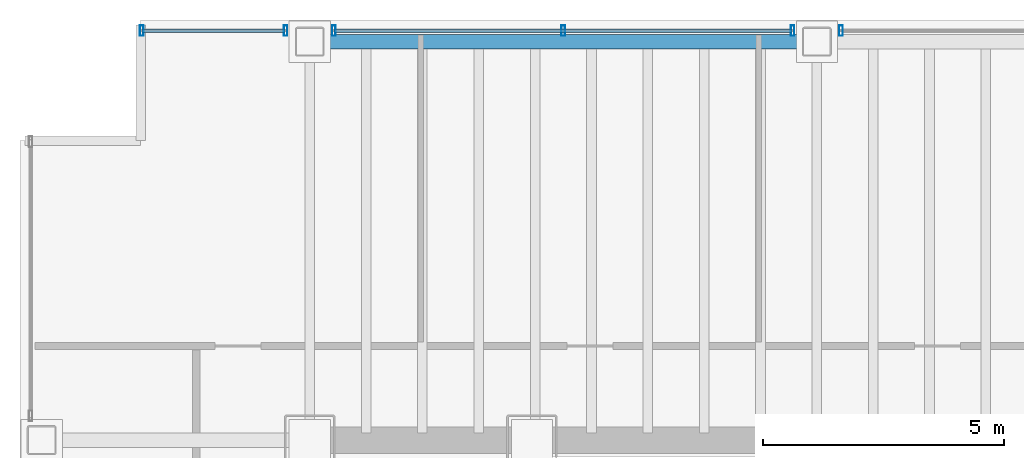
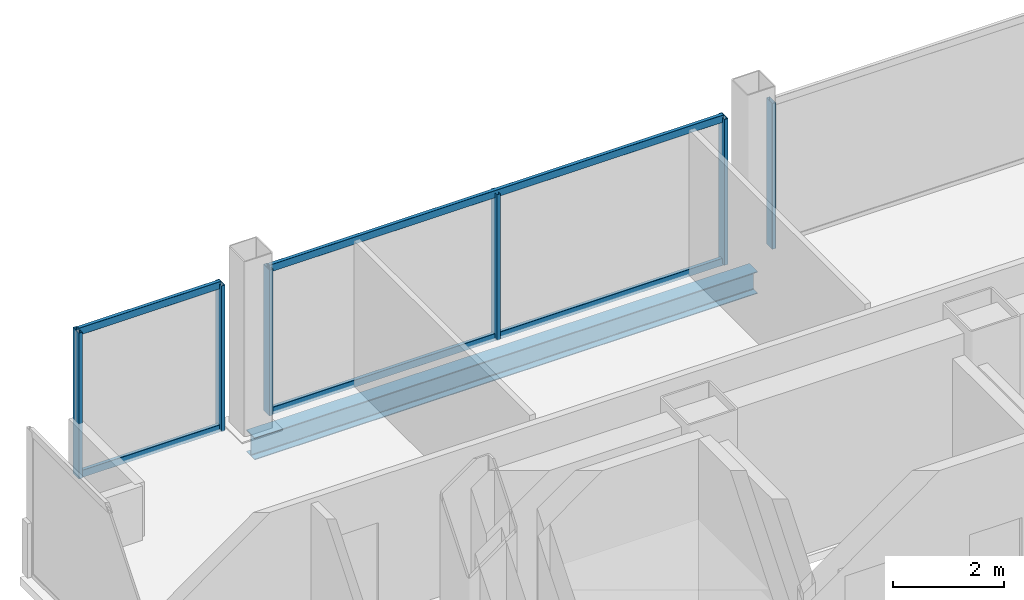
# One storey, part 13 of 20: 10 members, 1 beam, 3 elements without a shape of their own.
"""IFC4 building model written with IfcOpenShell, lengths in metres."""

import ifcopenshell
import ifcopenshell.guid

model = None  # the IFC model being written
_history = None  # IfcOwnerHistory: only IFC2X3 demands one
_inside = {}  # id of a spatial element -> (the spatial element, [elements in it])
_under = {}  # id of a project, library or spatial element -> (it, [spatial elements below it])
_declared = {}  # id of a project -> (the project, [libraries it declares])
_typed = {}  # id of a type object -> (the type object, [elements of that type])
_made_of = {}  # id of a material, layer set ... -> (it, [elements and type objects made of it])


def new_model(schema):
    """Start an empty IFC model of exactly this schema.

    Asked for "IFC4X3", IfcOpenShell would pick the latest addendum, in which some entities
    have other attributes; the version numbers below select the first issue.
    IFC2X3 requires an IfcOwnerHistory on every rooted entity: one is made here for all.
    """
    global model, _history
    if schema == "IFC4X3":
        model = ifcopenshell.file(schema_version=(4, 3, 0, 0))
    else:
        model = ifcopenshell.file(schema=schema)
    _inside.clear()
    _under.clear()
    _declared.clear()
    _typed.clear()
    _made_of.clear()
    _history = None
    if model.schema == "IFC2X3":
        org = make("IfcOrganization", Name="unknown")
        user = make(
            "IfcPersonAndOrganization",
            ThePerson=make("IfcPerson", FamilyName="unknown"),
            TheOrganization=org,
        )
        app = make(
            "IfcApplication",
            ApplicationDeveloper=org,
            Version="unknown",
            ApplicationFullName="unknown",
            ApplicationIdentifier="unknown",
        )
        _history = make(
            "IfcOwnerHistory",
            OwningUser=user,
            OwningApplication=app,
            ChangeAction="ADDED",
            CreationDate=0,
        )
    return model


def make(cls, **values):
    """One entity of the class cls with the attributes given. An attribute that is None is left unset."""
    return model.create_entity(
        cls, **{name: value for name, value in values.items() if value is not None}
    )


def rooted(cls, **values):
    """An entity with a GlobalId (a new one), such as an element, a storey or a relation."""
    return make(cls, GlobalId=ifcopenshell.guid.new(), OwnerHistory=_history, **values)


def si_unit(unit_type, name, prefix=None):
    """IfcSIUnit, for example si_unit("LENGTHUNIT", "METRE", prefix="MILLI")."""
    return make("IfcSIUnit", UnitType=unit_type, Prefix=prefix, Name=name)


def assignment(units):
    """IfcUnitAssignment: the units of a project."""
    return None if units is None else make("IfcUnitAssignment", Units=units)


def point(xyz):
    """IfcCartesianPoint."""
    return None if xyz is None else make("IfcCartesianPoint", Coordinates=xyz)


def direction(xyz):
    """IfcDirection."""
    return None if xyz is None else make("IfcDirection", DirectionRatios=xyz)


def frame(location, z_axis=None, x_axis=None):
    """IfcAxis2Placement3D, a coordinate frame: its origin and axes. An axis left out is left unset."""
    return make(
        "IfcAxis2Placement3D",
        Location=point(location),
        Axis=direction(z_axis),
        RefDirection=direction(x_axis),
    )


def frame_2d(location, x_axis=None):
    """IfcAxis2Placement2D, a coordinate frame in the plane: its origin and x axis."""
    return make(
        "IfcAxis2Placement2D", Location=point(location), RefDirection=direction(x_axis)
    )


def origin():
    """The frame at (0, 0, 0) with its axes left unset."""
    return frame((0.0, 0.0, 0.0))


def origin_2d():
    """The frame at (0, 0) in the plane with its x axis left unset."""
    return frame_2d((0.0, 0.0))


def place(relative_to, where):
    """IfcLocalPlacement: puts the frame where relative to a parent placement (None: the world)."""
    return make(
        "IfcLocalPlacement", PlacementRelTo=relative_to, RelativePlacement=where
    )


def context(
    kind, dimensions, precision=None, world=None, true_north=None, identifier=None
):
    """IfcGeometricRepresentationContext, for example the 3D "Model" context."""
    return make(
        "IfcGeometricRepresentationContext",
        ContextIdentifier=identifier,
        ContextType=kind,
        CoordinateSpaceDimension=dimensions,
        Precision=precision,
        WorldCoordinateSystem=world,
        TrueNorth=true_north,
    )


def subcontext(parent, identifier, kind, view, scale=None):
    """IfcGeometricRepresentationSubContext, for example "Body" below "Model"."""
    return make(
        "IfcGeometricRepresentationSubContext",
        ContextIdentifier=identifier,
        ContextType=kind,
        ParentContext=parent,
        TargetScale=scale,
        TargetView=view,
    )


def project(units=None, contexts=None):
    """IfcProject with its units and contexts."""
    return rooted(
        "IfcProject",
        Name="project",
        RepresentationContexts=contexts,
        UnitsInContext=assignment(units),
    )


def spatial(cls, under=None, at=None, **own):
    """A site, building, storey or space (cls), placed at a placement, below another one or the project."""
    s = rooted(cls, ObjectPlacement=at, **own)
    if under is not None:
        _under.setdefault(under.id(), (under, []))[1].append(s)
    return s


def profile(cls, at=None, kind="AREA", **sizes):
    """A parametric profile (cls). Its sizes go by their IFC names, for example OverallWidth=200.0."""
    return make(cls, ProfileType=kind, Position=at, **sizes)


def hollow_rectangle(**sizes):
    """IfcRectangleHollowProfileDef."""
    return profile("IfcRectangleHollowProfileDef", **sizes)


def i_section(**sizes):
    """IfcIShapeProfileDef."""
    return profile("IfcIShapeProfileDef", **sizes)


def extrude(swept, where, along, depth):
    """IfcExtrudedAreaSolid: the profile swept, set in the frame where, extruded along a direction by depth."""
    return make(
        "IfcExtrudedAreaSolid",
        SweptArea=swept,
        Position=where,
        ExtrudedDirection=direction(along),
        Depth=depth,
    )


def shape(context_of_items, identifier, shape_type, items):
    """IfcShapeRepresentation: the items that make up one representation, for example the "Body"."""
    return make(
        "IfcShapeRepresentation",
        ContextOfItems=context_of_items,
        RepresentationIdentifier=identifier,
        RepresentationType=shape_type,
        Items=items,
    )


def material(Name=None, Category=None):
    """IfcMaterial."""
    return make("IfcMaterial", Name=Name, Category=Category)


def material_profile(
    of_material, cross_section, Name=None, Category=None, Priority=None
):
    """IfcMaterialProfile: a cross section and its material."""
    return make(
        "IfcMaterialProfile",
        Name=Name,
        Material=of_material,
        Profile=cross_section,
        Priority=Priority,
        Category=Category,
    )


def profile_set(profiles, Name=None, composite=None):
    """IfcMaterialProfileSet."""
    return make(
        "IfcMaterialProfileSet",
        Name=Name,
        MaterialProfiles=profiles,
        CompositeProfile=composite,
    )


def made_of(thing, what):
    """Note that an element or type object is made of a material, layer set ...; save() writes the relation."""
    if what is not None:
        _made_of.setdefault(what.id(), (what, []))[1].append(thing)
    return thing


def type_object(cls, material=None, **own):
    """A type object (cls), such as IfcWallType, which elements share."""
    return made_of(rooted(cls, **own), material)


def element(
    cls,
    number,
    at=None,
    inside=None,
    cuts=None,
    type_object=None,
    material=None,
    context=None,
    identifier="Body",
    shape_type=None,
    held_by="IfcProductDefinitionShape",
    body=None,
    shapes=None,
    **own,
):
    """One element of the class cls, such as IfcWall. Its Tag is "e" and its number.

    at: its placement. inside: the storey or other place that contains it. cuts: it is an
    opening in that element (IfcRelVoidsElement). A single representation is given by context,
    identifier, shape_type and body (its items); several are given by shapes. held_by: the class
    of the entity that holds the representations. save() writes the other relations.
    """
    e = rooted(cls, Tag="e%d" % number, ObjectPlacement=at, **own)
    if body is not None:
        shapes = [shape(context, identifier, shape_type, body)]
    if shapes is not None:
        e.Representation = make(held_by, Representations=shapes)
    if inside is not None:
        _inside.setdefault(inside.id(), (inside, []))[1].append(e)
    if cuts is not None:
        rooted(
            "IfcRelVoidsElement", RelatingBuildingElement=cuts, RelatedOpeningElement=e
        )
    if type_object is not None:
        _typed.setdefault(type_object.id(), (type_object, []))[1].append(e)
    return made_of(e, material)


def aggregate(whole, parts):
    """IfcRelAggregates: a whole, such as a stair, and the parts it consists of."""
    return rooted("IfcRelAggregates", RelatingObject=whole, RelatedObjects=parts)


def save(model, path):
    """Write the relations noted so far, then the file.

    IfcRelAggregates (storeys below a building ...), IfcRelContainedInSpatialStructure (elements
    in a storey), IfcRelDefinesByType, IfcRelAssociatesMaterial and IfcRelDeclares: one each for
    every whole, place, type object, material and project.
    """
    for whole, parts in _under.values():
        aggregate(whole, parts)
    for where, things in _inside.values():
        rooted(
            "IfcRelContainedInSpatialStructure",
            RelatedElements=things,
            RelatingStructure=where,
        )
    for kind, things in _typed.values():
        rooted("IfcRelDefinesByType", RelatedObjects=things, RelatingType=kind)
    for what, things in _made_of.values():
        rooted("IfcRelAssociatesMaterial", RelatedObjects=things, RelatingMaterial=what)
    for by, libraries in _declared.values():
        rooted("IfcRelDeclares", RelatingContext=by, RelatedDefinitions=libraries)
    model.write(path)


model = new_model("IFC4")

# Units and contexts
model_context = context("Model", 3, precision=1e-05, world=origin(), true_north=direction((0.0, 1.0)))
body_context = subcontext(model_context, "Body", "Model", "MODEL_VIEW")
ifc_project = project(units=[si_unit("LENGTHUNIT", "METRE"), si_unit("AREAUNIT", "SQUARE_METRE"), si_unit("VOLUMEUNIT", "CUBIC_METRE"), si_unit("PLANEANGLEUNIT", "RADIAN"), si_unit("MASSUNIT", "GRAM", prefix="KILO")], contexts=[model_context])

# Site, building, storey
site_placement = place(None, origin())
site = spatial("IfcSite", under=ifc_project, at=site_placement, CompositionType="ELEMENT")
building_placement = place(site_placement, origin())
building = spatial("IfcBuilding", under=site, at=building_placement, Name="Noeulbin Bourse Tower", CompositionType="ELEMENT")
storey_placement = place(building_placement, frame((0.0, 0.0, 65.5)))
storey = spatial("IfcBuildingStorey", under=building, at=storey_placement, Name="L16", CompositionType="ELEMENT", Elevation=65.5)

# Beam
ifc_material_1 = material(Name="Steel S355", Category="steel")
ifc_material_profile_1 = material_profile(ifc_material_1, i_section(OverallWidth=0.300048828125, OverallDepth=0.488037109375, WebThickness=0.010986328125, FlangeThickness=0.01806640625, FilletRadius=0.02197265625, at=origin_2d()), Name="H-488x300x11x18", Category="LoadBearing")
ifc_profile_set_1 = profile_set([ifc_material_profile_1], Name="Steel S355")
beam_type = type_object("IfcBeamType", Name="BM-SPN-488", PredefinedType="SPANDREL", material=ifc_profile_set_1)
beam_placement = place(storey_placement, frame((13.5, 46.550048828125, -0.424072265625), z_axis=(1.0, 0.0, 0.0), x_axis=(0.0, 1.0, 0.0)))
element("IfcBeam", 1, at=beam_placement, inside=storey, type_object=beam_type, Name="North Spandrel L16-1", PredefinedType="SPANDREL", context=body_context, shape_type="SweptSolid", body=[
    extrude(i_section(OverallWidth=0.300048828125, OverallDepth=0.488037109375, WebThickness=0.010986328125, FlangeThickness=0.01806640625, FilletRadius=0.02197265625, at=origin_2d()), origin(), (0.0, 0.0, 1.0), 10.5),
])

# Curtain wall, members
ifc_material_2 = material(Name="Dark Solar-Control Double Glazing", Category="glass")
curtain_wall_type = type_object("IfcCurtainWallType", Name="CW-SYS-2", PredefinedType="NOTDEFINED", material=ifc_material_2)
curtain_wall_1_placement = place(storey_placement, origin())
curtain_wall_1 = element("IfcCurtainWall", 2, at=curtain_wall_1_placement, inside=storey, type_object=curtain_wall_type, Name="Unitised Curtain Wall CW-L16-N-S1", PredefinedType="NOTDEFINED")
ifc_material_3 = material(Name="Anodised Aluminium 6063-T6", Category="aluminium")
ifc_material_profile_2 = material_profile(ifc_material_3, hollow_rectangle(XDim=0.074951171875, YDim=0.219970703125, WallThickness=0.0048828125, InnerFilletRadius=0.00244140625, OuterFilletRadius=0.0048828125, at=origin_2d()), Name="ALU-MULL-75x220x5", Category="LoadBearing")
ifc_profile_set_2 = profile_set([ifc_material_profile_2], Name="Anodised Aluminium 6063-T6")
member_type_1 = type_object("IfcMemberType", Name="CW-SYS-2-MUL", PredefinedType="MULLION", material=ifc_profile_set_2)
member_1_placement = place(storey_placement, frame((10.02001953125, 46.780029296875, -0.02001953125), z_axis=(0.0, 0.0, 1.0), x_axis=(1.0, 0.0, 0.0)))
member_1 = element("IfcMember", 3, at=member_1_placement, type_object=member_type_1, Name="Curtain Wall Mullion CW-L16-N-S1-M00", PredefinedType="MULLION", context=body_context, shape_type="SweptSolid", body=[
    extrude(hollow_rectangle(XDim=0.074951171875, YDim=0.219970703125, WallThickness=0.0048828125, InnerFilletRadius=0.00244140625, OuterFilletRadius=0.0048828125, at=origin_2d()), origin(), (0.0, 0.0, 1.0), 3.219970703125),
])
member_2_placement = place(storey_placement, frame((13.0, 46.780029296875, -0.02001953125), z_axis=(0.0, 0.0, 1.0), x_axis=(1.0, 0.0, 0.0)))
member_2 = element("IfcMember", 4, at=member_2_placement, type_object=member_type_1, Name="Curtain Wall Mullion CW-L16-N-S1-M01", PredefinedType="MULLION", context=body_context, shape_type="SweptSolid", body=[
    extrude(hollow_rectangle(XDim=0.074951171875, YDim=0.219970703125, WallThickness=0.0048828125, InnerFilletRadius=0.00244140625, OuterFilletRadius=0.0048828125, at=origin_2d()), origin(), (0.0, 0.0, 1.0), 3.219970703125),
])

curtain_wall_2_placement = place(storey_placement, origin())
curtain_wall_2 = element("IfcCurtainWall", 5, at=curtain_wall_2_placement, inside=storey, type_object=curtain_wall_type, Name="Unitised Curtain Wall CW-L16-N-S2", PredefinedType="NOTDEFINED")
member_3_placement = place(storey_placement, frame((14.0, 46.780029296875, -0.02001953125), z_axis=(0.0, 0.0, 1.0), x_axis=(1.0, 0.0, 0.0)))
member_3 = element("IfcMember", 6, at=member_3_placement, type_object=member_type_1, Name="Curtain Wall Mullion CW-L16-N-S2-M00", PredefinedType="MULLION", context=body_context, shape_type="SweptSolid", body=[
    extrude(hollow_rectangle(XDim=0.074951171875, YDim=0.219970703125, WallThickness=0.0048828125, InnerFilletRadius=0.00244140625, OuterFilletRadius=0.0048828125, at=origin_2d()), origin(), (0.0, 0.0, 1.0), 3.219970703125),
])
member_4_placement = place(storey_placement, frame((18.75, 46.780029296875, -0.02001953125), z_axis=(0.0, 0.0, 1.0), x_axis=(1.0, 0.0, 0.0)))
member_4 = element("IfcMember", 7, at=member_4_placement, type_object=member_type_1, Name="Curtain Wall Mullion CW-L16-N-S2-M01", PredefinedType="MULLION", context=body_context, shape_type="SweptSolid", body=[
    extrude(hollow_rectangle(XDim=0.074951171875, YDim=0.219970703125, WallThickness=0.0048828125, InnerFilletRadius=0.00244140625, OuterFilletRadius=0.0048828125, at=origin_2d()), origin(), (0.0, 0.0, 1.0), 3.219970703125),
])
member_5_placement = place(storey_placement, frame((23.5, 46.780029296875, -0.02001953125), z_axis=(0.0, 0.0, 1.0), x_axis=(1.0, 0.0, 0.0)))
member_5 = element("IfcMember", 8, at=member_5_placement, type_object=member_type_1, Name="Curtain Wall Mullion CW-L16-N-S2-M02", PredefinedType="MULLION", context=body_context, shape_type="SweptSolid", body=[
    extrude(hollow_rectangle(XDim=0.074951171875, YDim=0.219970703125, WallThickness=0.0048828125, InnerFilletRadius=0.00244140625, OuterFilletRadius=0.0048828125, at=origin_2d()), origin(), (0.0, 0.0, 1.0), 3.219970703125),
])

# Curtain wall, member
curtain_wall_3_placement = place(storey_placement, origin())
curtain_wall_3 = element("IfcCurtainWall", 9, at=curtain_wall_3_placement, inside=storey, type_object=curtain_wall_type, Name="Unitised Curtain Wall CW-L16-N-S3", PredefinedType="NOTDEFINED")
member_6_placement = place(storey_placement, frame((24.5, 46.780029296875, -0.02001953125), z_axis=(0.0, 0.0, 1.0), x_axis=(1.0, 0.0, 0.0)))
member_6 = element("IfcMember", 10, at=member_6_placement, type_object=member_type_1, Name="Curtain Wall Mullion CW-L16-N-S3-M00", PredefinedType="MULLION", context=body_context, shape_type="SweptSolid", body=[
    extrude(hollow_rectangle(XDim=0.074951171875, YDim=0.219970703125, WallThickness=0.0048828125, InnerFilletRadius=0.00244140625, OuterFilletRadius=0.0048828125, at=origin_2d()), origin(), (0.0, 0.0, 1.0), 3.219970703125),
])
aggregate(curtain_wall_3, [member_6])

# Member
ifc_material_profile_3 = material_profile(ifc_material_3, hollow_rectangle(XDim=0.074951171875, YDim=0.159912109375, WallThickness=0.0048828125, InnerFilletRadius=0.00244140625, OuterFilletRadius=0.0048828125, at=origin_2d()), Name="ALU-TRAN-75x160x5", Category="LoadBearing")
ifc_profile_set_3 = profile_set([ifc_material_profile_3], Name="Anodised Aluminium 6063-T6")
member_type_2 = type_object("IfcMemberType", Name="CW-SYS-2-TRN", PredefinedType="USERDEFINED", material=ifc_profile_set_3)
member_7_placement = place(storey_placement, frame((10.030029296875, 46.780029296875, 0.010009765625), z_axis=(1.0, 0.0, 0.0), x_axis=(0.0, 1.0, 0.0)))
member_7 = element("IfcMember", 11, at=member_7_placement, type_object=member_type_2, Name="Curtain Wall Transom CW-L16-N-S1-T00", ObjectType="TRANSOM", PredefinedType="USERDEFINED", context=body_context, shape_type="SweptSolid", body=[
    extrude(hollow_rectangle(XDim=0.074951171875, YDim=0.159912109375, WallThickness=0.0048828125, InnerFilletRadius=0.00244140625, OuterFilletRadius=0.0048828125, at=origin_2d()), origin(), (0.0, 0.0, 1.0), 2.9599609375),
])

member_8_placement = place(storey_placement, frame((10.030029296875, 46.780029296875, 3.169921875), z_axis=(1.0, 0.0, 0.0), x_axis=(0.0, 1.0, 0.0)))
member_8 = element("IfcMember", 12, at=member_8_placement, type_object=member_type_2, Name="Curtain Wall Transom CW-L16-N-S1-T01", ObjectType="TRANSOM", PredefinedType="USERDEFINED", context=body_context, shape_type="SweptSolid", body=[
    extrude(hollow_rectangle(XDim=0.074951171875, YDim=0.159912109375, WallThickness=0.0048828125, InnerFilletRadius=0.00244140625, OuterFilletRadius=0.0048828125, at=origin_2d()), origin(), (0.0, 0.0, 1.0), 2.9599609375),
])

aggregate(curtain_wall_1, [member_1, member_2, member_7, member_8])

member_9_placement = place(storey_placement, frame((14.010009765625, 46.780029296875, 0.010009765625), z_axis=(1.0, 0.0, 0.0), x_axis=(0.0, 1.0, 0.0)))
member_9 = element("IfcMember", 13, at=member_9_placement, type_object=member_type_2, Name="Curtain Wall Transom CW-L16-N-S2-T00", ObjectType="TRANSOM", PredefinedType="USERDEFINED", context=body_context, shape_type="SweptSolid", body=[
    extrude(hollow_rectangle(XDim=0.074951171875, YDim=0.159912109375, WallThickness=0.0048828125, InnerFilletRadius=0.00244140625, OuterFilletRadius=0.0048828125, at=origin_2d()), origin(), (0.0, 0.0, 1.0), 9.47998046875),
])

member_10_placement = place(storey_placement, frame((14.010009765625, 46.780029296875, 3.169921875), z_axis=(1.0, 0.0, 0.0), x_axis=(0.0, 1.0, 0.0)))
member_10 = element("IfcMember", 14, at=member_10_placement, type_object=member_type_2, Name="Curtain Wall Transom CW-L16-N-S2-T01", ObjectType="TRANSOM", PredefinedType="USERDEFINED", context=body_context, shape_type="SweptSolid", body=[
    extrude(hollow_rectangle(XDim=0.074951171875, YDim=0.159912109375, WallThickness=0.0048828125, InnerFilletRadius=0.00244140625, OuterFilletRadius=0.0048828125, at=origin_2d()), origin(), (0.0, 0.0, 1.0), 9.47998046875),
])

aggregate(curtain_wall_2, [member_3, member_4, member_5, member_9, member_10])

save(model, "model.ifc")
